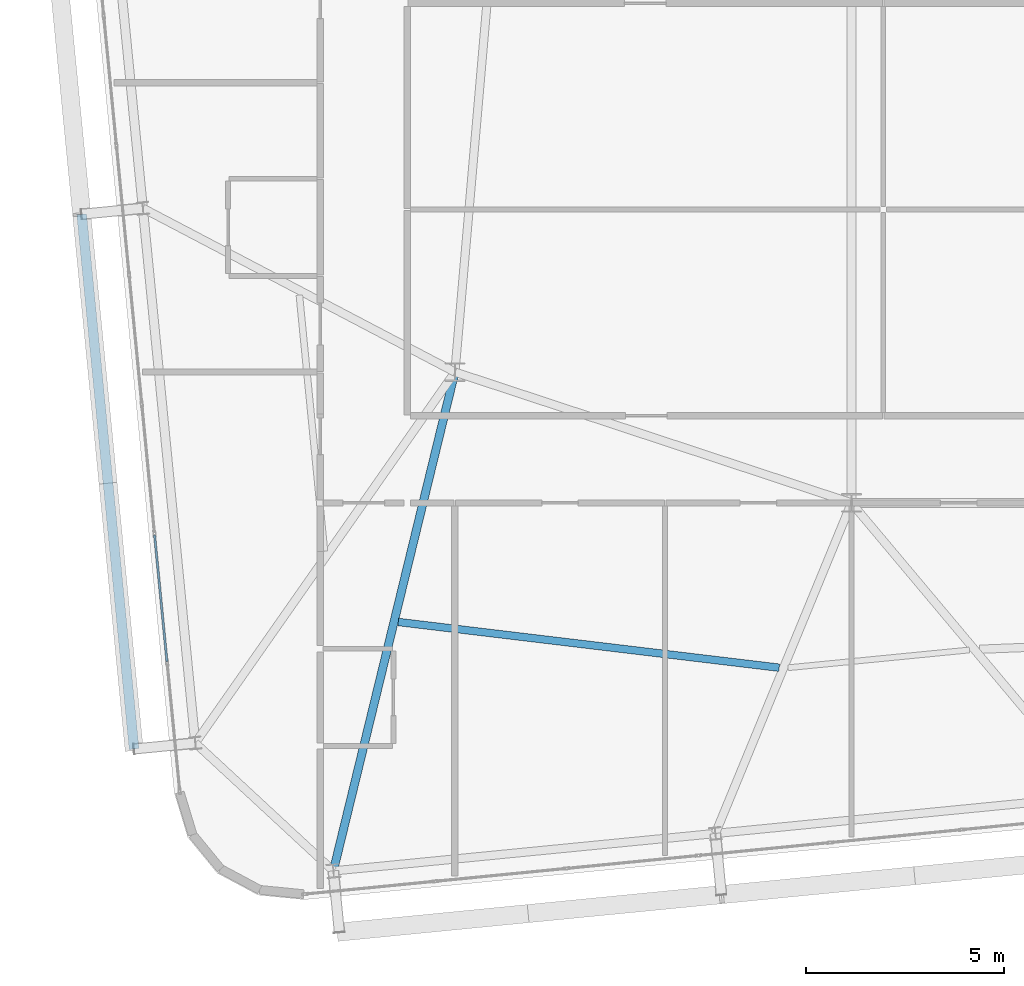
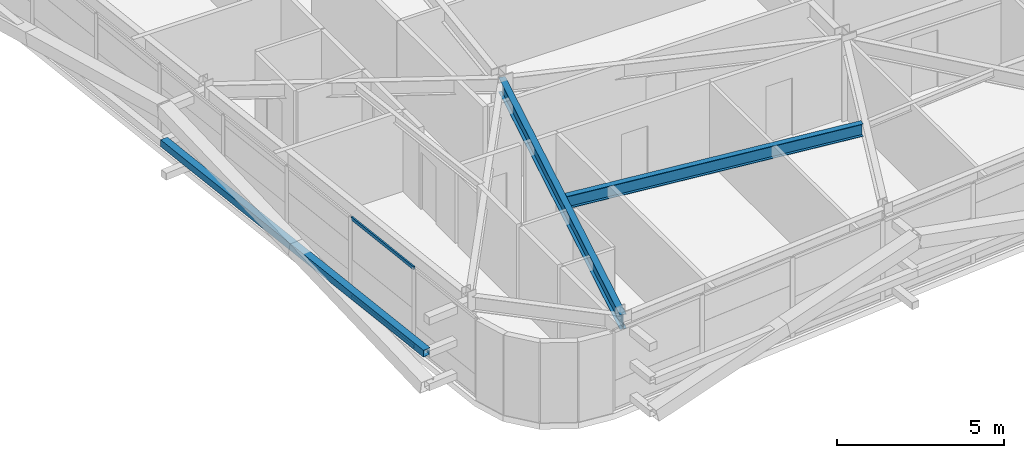
# One storey, part 7 of 54: 3 members, 2 beams, 1 element without a shape of its own.
"""IFC4 building model written with IfcOpenShell, lengths in metres."""

from ifc_helpers import new_model, si_unit, direction, frame, origin, origin_2d, place, context, subcontext, project, spatial, hollow_rectangle, i_section, extrude, source, transform, mapped, material, layer, layer_set, material_profile, profile_set, type_object, element, aggregate, save


model = new_model("IFC4")

# Units and contexts
model_context = context("Model", 3, precision=1e-05, world=origin(), true_north=direction((0.0, 1.0)))
body_context = subcontext(model_context, "Body", "Model", "MODEL_VIEW")
ifc_project = project(units=[si_unit("LENGTHUNIT", "METRE"), si_unit("AREAUNIT", "SQUARE_METRE"), si_unit("VOLUMEUNIT", "CUBIC_METRE"), si_unit("PLANEANGLEUNIT", "RADIAN"), si_unit("MASSUNIT", "GRAM", prefix="KILO")], contexts=[model_context])

# Site, building, storey
site_placement = place(None, origin())
site = spatial("IfcSite", under=ifc_project, at=site_placement, CompositionType="ELEMENT")
building_placement = place(site_placement, origin())
building = spatial("IfcBuilding", under=site, at=building_placement, Name="Taldren Reach Tower", CompositionType="ELEMENT")
storey_placement = place(building_placement, frame((0.0, 0.0, 99.75)))
storey = spatial("IfcBuildingStorey", under=building, at=storey_placement, Name="L30", CompositionType="ELEMENT", Elevation=99.75)

# Beams
ifc_material_1 = material(Name="Steel Gr 350 (350PLUS)", Category="steel")
ifc_material_profile_1 = material_profile(ifc_material_1, i_section(OverallWidth=0.208984375, OverallDepth=0.532958984375, WebThickness=0.01025390625, FlangeThickness=0.015625, at=origin_2d()), Name="530UB92.4")
ifc_profile_set_1 = profile_set([ifc_material_profile_1], Name="Steel Gr 350 (350PLUS)")
beam_type_1 = type_object("IfcBeamType", Name="BM-UB530A", PredefinedType="BEAM", material=ifc_profile_set_1)
shared_shape_1 = source(origin(), body_context, "Body", "SweptSolid", [
    extrude(i_section(OverallWidth=0.208984375, OverallDepth=0.532958984375, WebThickness=0.01025390625, FlangeThickness=0.015625, at=origin_2d()), origin(), (0.0, 0.0, 1.0), 12.947998046875),
])
beam_1_placement = place(storey_placement, frame((18.0, 12.5, 2.66357421875), z_axis=(-0.236786022782, -0.971561824803, 0.0), x_axis=(0.971561824803, -0.236786022782, 0.0)))
element("IfcBeam", 1, at=beam_1_placement, inside=storey, type_object=beam_type_1, Name="Primary floor girder B2-S1 L30", PredefinedType="BEAM", context=body_context, shape_type="MappedRepresentation", body=[
    mapped(shared_shape_1, transform((0.0, 0.0, 0.0), scale=1.0)),
])
ifc_material_profile_2 = material_profile(ifc_material_1, i_section(OverallWidth=0.19091796875, OverallDepth=0.4599609375, WebThickness=0.010009765625, FlangeThickness=0.01611328125, at=origin_2d()), Name="460UB82.1")
ifc_profile_set_2 = profile_set([ifc_material_profile_2], Name="Steel Gr 350 (350PLUS)")
beam_type_2 = type_object("IfcBeamType", Name="BM-UB460A", PredefinedType="BEAM", material=ifc_profile_set_2)
shared_shape_2 = source(origin(), body_context, "Body", "SweptSolid", [
    extrude(i_section(OverallWidth=0.19091796875, OverallDepth=0.4599609375, WebThickness=0.010009765625, FlangeThickness=0.01611328125, at=origin_2d()), origin(), (0.0, 0.0, 1.0), 9.673583984375),
])
beam_2_placement = place(storey_placement, frame((16.571533203125, 6.197509765625, 2.699951171875), z_axis=(0.992879584922, -0.119122331431, 0.0), x_axis=(0.119122331431, 0.992879584922, 0.0)))
element("IfcBeam", 2, at=beam_2_placement, inside=storey, type_object=beam_type_2, Name="Secondary floor beam B2 J1 L30", PredefinedType="BEAM", context=body_context, shape_type="MappedRepresentation", body=[
    mapped(shared_shape_2, transform((0.0, 0.0, 0.0), scale=1.0)),
])

# Member
ifc_material_2 = material(Name="Steel Gr 350 (C350L0)", Category="steel")
ifc_material_profile_3 = material_profile(ifc_material_2, hollow_rectangle(XDim=0.25, YDim=0.25, WallThickness=0.010009765625, at=origin_2d()), Name="250x250x10.0SHS")
ifc_profile_set_3 = profile_set([ifc_material_profile_3], Name="Steel Gr 350 (C350L0)")
member_type_1 = type_object("IfcMemberType", Name="MB-POST250", PredefinedType="POST", material=ifc_profile_set_3)
shared_shape_3 = source(origin(), body_context, "Body", "SweptSolid", [
    extrude(hollow_rectangle(XDim=0.25, YDim=0.25, WallThickness=0.010009765625, at=origin_2d()), origin(), (0.0, 0.0, 1.0), 13.5498046875),
])
member_1_placement = place(storey_placement, frame((9.91015625, 2.99462890625, 1.43505859375), z_axis=(-0.097585771221, 0.995227118428, 0.0), x_axis=(-0.995227118428, -0.097585771221, 0.0)))
element("IfcMember", 3, at=member_1_placement, inside=storey, type_object=member_type_1, Name="Exoskeleton mid-height ring chord B2-W1 L30", PredefinedType="POST", context=body_context, shape_type="MappedRepresentation", body=[
    mapped(shared_shape_3, transform((0.0, 0.0, 0.0), scale=1.0)),
])

# Curtain wall, members
ifc_material_3 = material(Name="Aluminium and Low-E Glass Unitised System", Category="aluminium")
ifc_layer = layer(ifc_material_3, 0.159912109375)
ifc_layer_set = layer_set([ifc_layer], Name="Aluminium and Low-E Glass Unitised System")
curtain_wall_type = type_object("IfcCurtainWallType", Name="CW-SYS-3", PredefinedType="NOTDEFINED", material=ifc_layer_set)
curtain_wall_placement = place(storey_placement, origin())
curtain_wall = element("IfcCurtainWall", 4, at=curtain_wall_placement, inside=storey, type_object=curtain_wall_type, Name="Unitised curtain wall CW-L30-W", PredefinedType="NOTDEFINED")
ifc_material_4 = material(Name="Anodised Aluminium 6063-T6", Category="aluminium")
ifc_material_profile_4 = material_profile(ifc_material_4, hollow_rectangle(XDim=0.054931640625, YDim=0.1201171875, WallThickness=0.0029296875, at=origin_2d()), Name="ALU-120x55x3RHS")
ifc_profile_set_4 = profile_set([ifc_material_profile_4], Name="Anodised Aluminium 6063-T6")
member_type_2 = type_object("IfcMemberType", Name="CW-TRN-135", PredefinedType="USERDEFINED", material=ifc_profile_set_4)
shared_shape_4 = source(origin(), body_context, "Body", "SweptSolid", [
    extrude(hollow_rectangle(XDim=0.054931640625, YDim=0.1201171875, WallThickness=0.0029296875, at=origin_2d()), origin(), (0.0, 0.0, 1.0), 3.212646484375),
])
member_2_placement = place(storey_placement, frame((10.42578125, 8.3935546875, 0.027587890625), z_axis=(0.097577327663, -0.995227946315, 0.0), x_axis=(0.995227946315, 0.097577327663, 0.0)))
member_2 = element("IfcMember", 5, at=member_2_placement, type_object=member_type_2, Name="CW-3 transom 8.1", ObjectType="TRANSOM", PredefinedType="USERDEFINED", context=body_context, shape_type="MappedRepresentation", body=[
    mapped(shared_shape_4, transform((0.0, 0.0, 0.0), scale=1.0)),
])
member_3_placement = place(storey_placement, frame((10.42578125, 8.3935546875, 2.902587890625), z_axis=(0.097577327663, -0.995227946315, 0.0), x_axis=(0.995227946315, 0.097577327663, 0.0)))
member_3 = element("IfcMember", 6, at=member_3_placement, type_object=member_type_2, Name="CW-3 transom 8.2", ObjectType="TRANSOM", PredefinedType="USERDEFINED", context=body_context, shape_type="MappedRepresentation", body=[
    mapped(shared_shape_4, transform((0.0, 0.0, 0.0), scale=1.0)),
])
aggregate(curtain_wall, [member_2, member_3])

save(model, "model.ifc")
